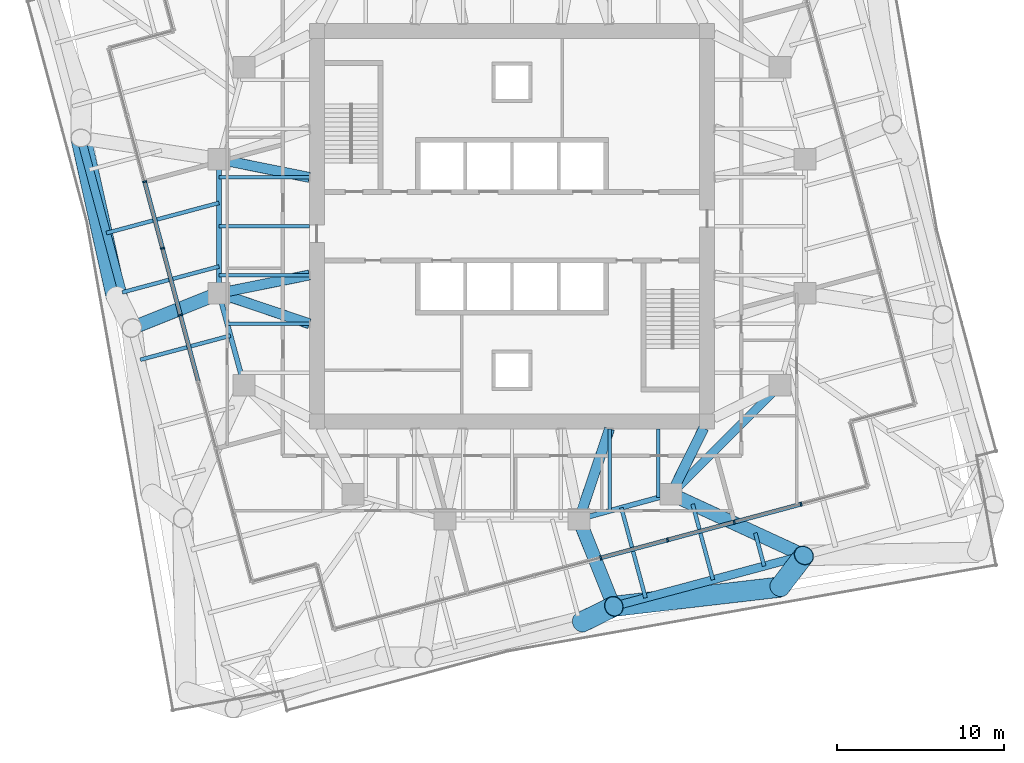
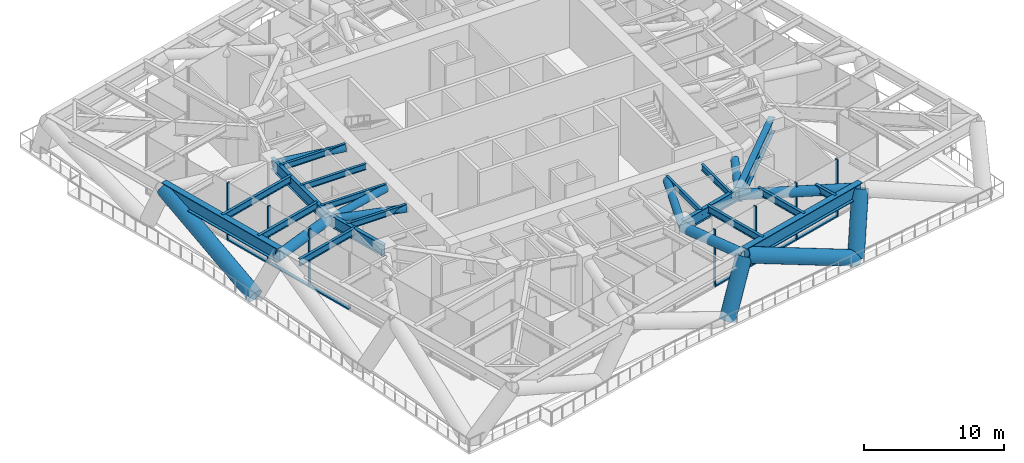
# One storey, part 3 of 14: 25 members, 18 beams, 2 elements without a shape of their own.
"""IFC4 building model written with IfcOpenShell, lengths in metres."""

from ifc_helpers import new_model, si_unit, direction, frame, origin, origin_2d, place, context, subcontext, project, spatial, rectangle, hollow_circle, i_section, extrude, material, material_profile, profile_set, type_object, element, aggregate, save


model = new_model("IFC4")

# Units and contexts
model_context = context("Model", 3, precision=1e-05, world=origin(), true_north=direction((0.0, 1.0)))
body_context = subcontext(model_context, "Body", "Model", "MODEL_VIEW")
ifc_project = project(units=[si_unit("LENGTHUNIT", "METRE"), si_unit("AREAUNIT", "SQUARE_METRE"), si_unit("VOLUMEUNIT", "CUBIC_METRE"), si_unit("PLANEANGLEUNIT", "RADIAN"), si_unit("MASSUNIT", "GRAM", prefix="KILO")], contexts=[model_context])

# Site, building, storey
site_placement = place(None, origin())
site = spatial("IfcSite", under=ifc_project, at=site_placement, CompositionType="ELEMENT")
building_placement = place(site_placement, origin())
building = spatial("IfcBuilding", under=site, at=building_placement, Name="Torsade Residences", CompositionType="ELEMENT")
storey_placement = place(building_placement, frame((0.0, 0.0, 106.60009765625)))
storey = spatial("IfcBuildingStorey", under=building, at=storey_placement, Name="L29", CompositionType="ELEMENT", Elevation=106.60009765625)

# Beams
ifc_material_1 = material(Name="Steel grade 300", Category="steel")
ifc_material_profile_1 = material_profile(ifc_material_1, i_section(OverallWidth=0.208984375, OverallDepth=0.528076171875, WebThickness=0.009521484375, FlangeThickness=0.01318359375, FilletRadius=0.013916015625, at=origin_2d()), Name="530UB82.0")
ifc_profile_set_1 = profile_set([ifc_material_profile_1], Name="Steel grade 300")
beam_type_1 = type_object("IfcBeamType", Name="INNER FLOOR BEAM 530UB82.0", PredefinedType="JOIST", material=ifc_profile_set_1)
beam_1_placement = place(storey_placement, frame((48.737548828125, 17.89990234375, 4.5859375), z_axis=(0.0, -1.0, 0.0), x_axis=(1.0, 0.0, 0.0)))
element("IfcBeam", 1, at=beam_1_placement, inside=storey, type_object=beam_type_1, Name="Inner floor beam IS01 L30", PredefinedType="JOIST", context=body_context, shape_type="SweptSolid", body=[
    extrude(i_section(OverallWidth=0.208984375, OverallDepth=0.528076171875, WebThickness=0.009521484375, FlangeThickness=0.01318359375, FilletRadius=0.013916015625, at=origin_2d()), origin(), (0.0, 0.0, 1.0), 4.10791015625),
])
beam_2_placement = place(storey_placement, frame((45.824951171875, 17.89990234375, 4.5859375), z_axis=(0.0, -1.0, 0.0), x_axis=(1.0, 0.0, 0.0)))
element("IfcBeam", 2, at=beam_2_placement, inside=storey, type_object=beam_type_1, Name="Inner floor beam IS02 L30", PredefinedType="JOIST", context=body_context, shape_type="SweptSolid", body=[
    extrude(i_section(OverallWidth=0.208984375, OverallDepth=0.528076171875, WebThickness=0.009521484375, FlangeThickness=0.01318359375, FilletRadius=0.013916015625, at=origin_2d()), origin(), (0.0, 0.0, 1.0), 4.902099609375),
])
for number, where, z_axis, x_axis, name in (
    (3, (27.89990234375, 32.91259765625, 4.5859375), (-1.0, 0.0, 0.0), (0.0, -1.0, 0.0), "Inner floor beam IW03 L30"),
    (4, (27.89990234375, 30.0, 4.5859375), (-1.0, 0.0, 0.0), (0.0, -1.0, 0.0), "Inner floor beam IW04 L30"),
    (5, (27.89990234375, 27.08740234375, 4.5859375), (-1.0, 0.0, 0.0), (0.0, -1.0, 0.0), "Inner floor beam IW05 L30"),
):
    element("IfcBeam", number, at=place(storey_placement, frame(where, z_axis=z_axis, x_axis=x_axis)), inside=storey, type_object=beam_type_1, Name=name, PredefinedType="JOIST", context=body_context, shape_type="SweptSolid", body=[
        extrude(i_section(OverallWidth=0.208984375, OverallDepth=0.528076171875, WebThickness=0.009521484375, FlangeThickness=0.01318359375, FilletRadius=0.013916015625, at=origin_2d()), origin(), (0.0, 0.0, 1.0), 5.39990234375),
    ])
beam_3_placement = place(storey_placement, frame((27.89990234375, 24.175048828125, 4.5859375), z_axis=(-1.0, 0.0, 0.0), x_axis=(0.0, -1.0, 0.0)))
element("IfcBeam", 6, at=beam_3_placement, inside=storey, type_object=beam_type_1, Name="Inner floor beam IW06 L30", PredefinedType="JOIST", context=body_context, shape_type="SweptSolid", body=[
    extrude(i_section(OverallWidth=0.208984375, OverallDepth=0.528076171875, WebThickness=0.009521484375, FlangeThickness=0.01318359375, FilletRadius=0.013916015625, at=origin_2d()), origin(), (0.0, 0.0, 1.0), 4.902099609375),
])
ifc_material_2 = material(Name="Steel grade 300", Category="steel")
ifc_material_profile_2 = material_profile(ifc_material_2, i_section(OverallWidth=0.5, OverallDepth=1.199951171875, WebThickness=0.01611328125, FlangeThickness=0.0400390625, at=origin_2d()), Name="1200WB455")
ifc_profile_set_2 = profile_set([ifc_material_profile_2], Name="Steel grade 300")
beam_type_2 = type_object("IfcBeamType", Name="RING CORNER GIRDER 1200WB455", PredefinedType="BEAM", material=ifc_profile_set_2)
beam_4_placement = place(storey_placement, frame((49.5, 14.0, 4.25), z_axis=(0.707106781187, 0.707106781187, 0.0), x_axis=(-0.707106781187, 0.707106781187, 0.0)))
element("IfcBeam", 7, at=beam_4_placement, inside=storey, type_object=beam_type_2, Name="Ring girder IR15 L30", PredefinedType="BEAM", context=body_context, shape_type="SweptSolid", body=[
    extrude(i_section(OverallWidth=0.5, OverallDepth=1.199951171875, WebThickness=0.01611328125, FlangeThickness=0.0400390625, at=origin_2d()), origin(), (0.0, 0.0, 1.0), 9.1923828125),
])
ifc_material_3 = material(Name="Steel grade 300", Category="steel")
ifc_material_profile_3 = material_profile(ifc_material_3, i_section(OverallWidth=0.300048828125, OverallDepth=1.0, WebThickness=0.01611328125, FlangeThickness=0.028076171875, at=origin_2d()), Name="1000WB215")
ifc_profile_set_3 = profile_set([ifc_material_profile_3], Name="Steel grade 300")
beam_type_3 = type_object("IfcBeamType", Name="RING GIRDER 1000WB215", PredefinedType="BEAM", material=ifc_profile_set_3)
beam_5_placement = place(storey_placement, frame((22.5, 34.0, 4.349853515625), z_axis=(0.0, -1.0, 0.0), x_axis=(1.0, 0.0, 0.0)))
element("IfcBeam", 8, at=beam_5_placement, inside=storey, type_object=beam_type_3, Name="Ring girder IR09 L30", PredefinedType="BEAM", context=body_context, shape_type="SweptSolid", body=[
    extrude(i_section(OverallWidth=0.300048828125, OverallDepth=1.0, WebThickness=0.01611328125, FlangeThickness=0.028076171875, at=origin_2d()), origin(), (0.0, 0.0, 1.0), 8.0),
])
for number, where, z_axis, x_axis, name in (
    (9, (22.5, 26.0, 4.349853515625), (0.263117405792, -0.964763821238, 0.0), (0.964763821238, 0.263117405792, 0.0), "Ring girder IR10 L30"),
    (10, (44.0, 12.5, 4.349853515625), (0.964763821238, 0.263117405792, 0.0), (-0.263117405792, 0.964763821238, 0.0), "Ring girder IR14 L30"),
):
    element("IfcBeam", number, at=place(storey_placement, frame(where, z_axis=z_axis, x_axis=x_axis)), inside=storey, type_object=beam_type_3, Name=name, PredefinedType="BEAM", context=body_context, shape_type="SweptSolid", body=[
        extrude(i_section(OverallWidth=0.300048828125, OverallDepth=1.0, WebThickness=0.01611328125, FlangeThickness=0.028076171875, at=origin_2d()), origin(), (0.0, 0.0, 1.0), 5.700927734375),
    ])
ifc_material_4 = material(Name="Steel grade 300", Category="steel")
ifc_material_profile_4 = material_profile(ifc_material_4, i_section(OverallWidth=0.22900390625, OverallDepth=0.612060546875, WebThickness=0.011962890625, FlangeThickness=0.01953125, FilletRadius=0.013916015625, at=origin_2d()), Name="610UB125")
ifc_profile_set_4 = profile_set([ifc_material_profile_4], Name="Steel grade 300")
beam_type_4 = type_object("IfcBeamType", Name="SECONDARY BEAM 610UB125", PredefinedType="JOIST", material=ifc_profile_set_4)
beam_6_placement = place(storey_placement, frame((47.973876953125, 7.8076171875, 4.5439453125), z_axis=(-0.258829517553, 0.965923020144, 0.0), x_axis=(-0.965923020144, -0.258829517553, 0.0)))
element("IfcBeam", 11, at=beam_6_placement, inside=storey, type_object=beam_type_4, Name="Floor beam FS07 L30", PredefinedType="JOIST", context=body_context, shape_type="SweptSolid", body=[
    extrude(i_section(OverallWidth=0.22900390625, OverallDepth=0.612060546875, WebThickness=0.011962890625, FlangeThickness=0.01953125, FilletRadius=0.013916015625, at=origin_2d()), origin(), (0.0, 0.0, 1.0), 5.57275390625),
])
beam_7_placement = place(storey_placement, frame((51.99853515625, 8.885986328125, 4.5439453125), z_axis=(-0.258815185258, 0.965926860523, 0.0), x_axis=(-0.965926860523, -0.258815185258, 0.0)))
element("IfcBeam", 12, at=beam_7_placement, inside=storey, type_object=beam_type_4, Name="Floor beam FS08 L30", PredefinedType="JOIST", context=body_context, shape_type="SweptSolid", body=[
    extrude(i_section(OverallWidth=0.22900390625, OverallDepth=0.612060546875, WebThickness=0.011962890625, FlangeThickness=0.01953125, FilletRadius=0.013916015625, at=origin_2d()), origin(), (0.0, 0.0, 1.0), 4.6796875),
])
beam_8_placement = place(storey_placement, frame((55.057373046875, 9.70556640625, 4.5439453125), z_axis=(-0.258791773706, 0.965933133225, 0.0), x_axis=(-0.965933133225, -0.258791773706, 0.0)))
element("IfcBeam", 13, at=beam_8_placement, inside=storey, type_object=beam_type_4, Name="Floor beam FS09 L30", PredefinedType="JOIST", context=body_context, shape_type="SweptSolid", body=[
    extrude(i_section(OverallWidth=0.22900390625, OverallDepth=0.612060546875, WebThickness=0.011962890625, FlangeThickness=0.01953125, FilletRadius=0.013916015625, at=origin_2d()), origin(), (0.0, 0.0, 1.0), 2.045166015625),
])
beam_9_placement = place(storey_placement, frame((15.7802734375, 29.592529296875, 4.5439453125), z_axis=(0.965926120836, 0.258817945835, 0.0), x_axis=(-0.258817945835, 0.965926120836, 0.0)))
element("IfcBeam", 14, at=beam_9_placement, inside=storey, type_object=beam_type_4, Name="Floor beam FW05 L30", PredefinedType="JOIST", context=body_context, shape_type="SweptSolid", body=[
    extrude(i_section(OverallWidth=0.22900390625, OverallDepth=0.612060546875, WebThickness=0.011962890625, FlangeThickness=0.01953125, FilletRadius=0.013916015625, at=origin_2d()), origin(), (0.0, 0.0, 1.0), 6.956787109375),
])
beam_10_placement = place(storey_placement, frame((16.729248046875, 26.05078125, 4.5439453125), z_axis=(0.965920871885, 0.258837534481, 0.0), x_axis=(-0.258837534481, 0.965920871885, 0.0)))
element("IfcBeam", 15, at=beam_10_placement, inside=storey, type_object=beam_type_4, Name="Floor beam FW06 L30", PredefinedType="JOIST", context=body_context, shape_type="SweptSolid", body=[
    extrude(i_section(OverallWidth=0.22900390625, OverallDepth=0.612060546875, WebThickness=0.011962890625, FlangeThickness=0.01953125, FilletRadius=0.013916015625, at=origin_2d()), origin(), (0.0, 0.0, 1.0), 5.974365234375),
])
beam_11_placement = place(storey_placement, frame((17.8076171875, 22.026123046875, 4.5439453125), z_axis=(0.965923020144, 0.258829517553, 0.0), x_axis=(-0.258829517553, 0.965923020144, 0.0)))
element("IfcBeam", 16, at=beam_11_placement, inside=storey, type_object=beam_type_4, Name="Floor beam FW07 L30", PredefinedType="JOIST", context=body_context, shape_type="SweptSolid", body=[
    extrude(i_section(OverallWidth=0.22900390625, OverallDepth=0.612060546875, WebThickness=0.011962890625, FlangeThickness=0.01953125, FilletRadius=0.013916015625, at=origin_2d()), origin(), (0.0, 0.0, 1.0), 5.57275390625),
])

# Members
ifc_material_5 = material(Name="Steel grade 450", Category="steel")
ifc_material_profile_5 = material_profile(ifc_material_5, hollow_circle(Radius=0.304931640625, WallThickness=0.01611328125, at=origin_2d()), Name="610.0x16.0CHS")
ifc_profile_set_5 = profile_set([ifc_material_profile_5], Name="Steel grade 450")
member_type_1 = type_object("IfcMemberType", Name="TRANSFER FLOOR BRACE 610.0x16.0CHS", PredefinedType="BRACE", material=ifc_profile_set_5)
for number, where, z_axis, x_axis, name in (
    (17, (22.5, 34.0, 4.25), (0.97976354245, -0.197299340721, 0.033710102894), (0.197411538983, 0.980320704809, 0.0), "Transfer floor brace TT3 top IR09IW03"),
    (18, (22.5, 26.0, 4.25), (0.97976354245, 0.197299340721, 0.033710102894), (-0.197411538983, 0.980320704809, 0.0), "Transfer floor brace TT3 top IR10IW05"),
):
    element("IfcMember", number, at=place(storey_placement, frame(where, z_axis=z_axis, x_axis=x_axis)), inside=storey, type_object=member_type_1, Name=name, PredefinedType="BRACE", context=body_context, shape_type="SweptSolid", body=[
        extrude(hollow_circle(Radius=0.304931640625, WallThickness=0.01611328125, at=origin_2d()), origin(), (0.0, 0.0, 1.0), 5.511474609375),
    ])
for number, where, z_axis, x_axis, name in (
    (19, (22.5, 26.0, 4.25), (0.946857291164, -0.319999920944, 0.032577918373), (0.320169867513, 0.947360151124, 0.0), "Transfer floor brace TT3 top IR10IW06"),
    (20, (44.0, 12.5, 4.25), (0.319999920944, 0.946857291164, 0.032577918373), (-0.947360151124, 0.320169867513, 0.0), "Transfer floor brace TT3 top IR14IS02"),
):
    element("IfcMember", number, at=place(storey_placement, frame(where, z_axis=z_axis, x_axis=x_axis)), inside=storey, type_object=member_type_1, Name=name, PredefinedType="BRACE", context=body_context, shape_type="SweptSolid", body=[
        extrude(hollow_circle(Radius=0.304931640625, WallThickness=0.01611328125, at=origin_2d()), origin(), (0.0, 0.0, 1.0), 5.702880859375),
    ])
member_1_placement = place(storey_placement, frame((49.5, 14.0, 4.25), z_axis=(0.443105036702, 0.896469701914, 0.0), x_axis=(-0.896469701914, 0.443105036702, 0.0)))
element("IfcMember", 21, at=member_1_placement, inside=storey, type_object=member_type_1, Name="Transfer floor brace TT3 top IR15C", PredefinedType="BRACE", context=body_context, shape_type="SweptSolid", body=[
    extrude(hollow_circle(Radius=0.304931640625, WallThickness=0.01611328125, at=origin_2d()), origin(), (0.0, 0.0, 1.0), 4.40234375),
])
ifc_material_6 = material(Name="Steel grade 450", Category="steel")
ifc_material_profile_6 = material_profile(ifc_material_6, hollow_circle(Radius=0.406494140625, WallThickness=0.02490234375, at=origin_2d()), Name="813.0x25.0CHS")
ifc_profile_set_6 = profile_set([ifc_material_profile_6], Name="Steel grade 450")
member_type_2 = type_object("IfcMemberType", Name="TRANSFER FLOOR STRUT 813.0x25.0CHS", PredefinedType="STRUT", material=ifc_profile_set_6)
member_2_placement = place(storey_placement, frame((46.082275390625, 7.30078125, 4.25), z_axis=(-0.371788975159, 0.928317272246, 0.0), x_axis=(-0.928317272246, -0.371788975159, 0.0)))
element("IfcMember", 22, at=member_2_placement, inside=storey, type_object=member_type_2, Name="Transfer floor strut TT3 top 03IR14", PredefinedType="STRUT", context=body_context, shape_type="SweptSolid", body=[
    extrude(hollow_circle(Radius=0.406494140625, WallThickness=0.02490234375, at=origin_2d()), origin(), (0.0, 0.0, 1.0), 5.6005859375),
])
member_3_placement = place(storey_placement, frame((57.431884765625, 10.341796875, 4.25), z_axis=(-0.908075513562, 0.418806472813, 0.0), x_axis=(-0.418806472813, -0.908075513562, 0.0)))
element("IfcMember", 23, at=member_3_placement, inside=storey, type_object=member_type_2, Name="Transfer floor strut TT3 top 04IR15", PredefinedType="STRUT", context=body_context, shape_type="SweptSolid", body=[
    extrude(hollow_circle(Radius=0.406494140625, WallThickness=0.02490234375, at=origin_2d()), origin(), (0.0, 0.0, 1.0), 8.73486328125),
])
member_4_placement = place(storey_placement, frame((17.30078125, 23.917724609375, 4.25), z_axis=(0.928317272246, 0.371788975159, 0.0), x_axis=(-0.371788975159, 0.928317272246, 0.0)))
element("IfcMember", 24, at=member_4_placement, inside=storey, type_object=member_type_2, Name="Transfer floor strut TT3 top 15IR10", PredefinedType="STRUT", context=body_context, shape_type="SweptSolid", body=[
    extrude(hollow_circle(Radius=0.406494140625, WallThickness=0.02490234375, at=origin_2d()), origin(), (0.0, 0.0, 1.0), 5.6005859375),
])

# Curtain wall, members
ifc_material_7 = material(Name="Aluminium and glass", Category="aluminium")
curtain_wall_type = type_object("IfcCurtainWallType", Name="TRANSFER LEVEL CURTAIN WALL LOW ZONE", PredefinedType="NOTDEFINED", material=ifc_material_7)
curtain_wall_1_placement = place(storey_placement, origin())
curtain_wall_1 = element("IfcCurtainWall", 25, at=curtain_wall_1_placement, inside=storey, type_object=curtain_wall_type, Name="Curtain wall L29 face 1", PredefinedType="NOTDEFINED")
ifc_material_8 = material(Name="Aluminium mullion", Category="aluminium")
ifc_material_profile_7 = material_profile(ifc_material_8, rectangle(XDim=0.25, YDim=0.10009765625, at=origin_2d()), Name="TRANSFER LEVEL CURTAIN WALL MULLION 250x100")
ifc_profile_set_7 = profile_set([ifc_material_profile_7], Name="Aluminium mullion")
member_type_3 = type_object("IfcMemberType", Name="TRANSFER LEVEL CURTAIN WALL MULLION 250x100", PredefinedType="MULLION", material=ifc_profile_set_7)
member_5_placement = place(storey_placement, frame((45.305908203125, 10.198486328125, 0.0), z_axis=(0.0, 0.0, 1.0), x_axis=(-0.258819054021, 0.965925823899, 0.0)))
member_5 = element("IfcMember", 26, at=member_5_placement, type_object=member_type_3, Name="Mullion 5", PredefinedType="MULLION", context=body_context, shape_type="SweptSolid", body=[
    extrude(rectangle(XDim=0.25, YDim=0.10009765625, at=origin_2d()), origin(), (0.0, 0.0, 1.0), 5.0),
])
member_6_placement = place(storey_placement, frame((49.290283203125, 11.26611328125, 0.0), z_axis=(0.0, 0.0, 1.0), x_axis=(-0.258819054021, 0.965925823899, 0.0)))
member_6 = element("IfcMember", 27, at=member_6_placement, type_object=member_type_3, Name="Mullion 6", PredefinedType="MULLION", context=body_context, shape_type="SweptSolid", body=[
    extrude(rectangle(XDim=0.25, YDim=0.10009765625, at=origin_2d()), origin(), (0.0, 0.0, 1.0), 5.0),
])
member_7_placement = place(storey_placement, frame((53.274658203125, 12.333740234375, 0.0), z_axis=(0.0, 0.0, 1.0), x_axis=(-0.258819054021, 0.965925823899, 0.0)))
member_7 = element("IfcMember", 28, at=member_7_placement, type_object=member_type_3, Name="Mullion 7", PredefinedType="MULLION", context=body_context, shape_type="SweptSolid", body=[
    extrude(rectangle(XDim=0.25, YDim=0.10009765625, at=origin_2d()), origin(), (0.0, 0.0, 1.0), 5.0),
])
member_8_placement = place(storey_placement, frame((57.259033203125, 13.4013671875, 0.0), z_axis=(0.0, 0.0, 1.0), x_axis=(-0.258819054021, 0.965925823899, 0.0)))
member_8 = element("IfcMember", 29, at=member_8_placement, type_object=member_type_3, Name="Mullion 8", PredefinedType="MULLION", context=body_context, shape_type="SweptSolid", body=[
    extrude(rectangle(XDim=0.25, YDim=0.10009765625, at=origin_2d()), origin(), (0.0, 0.0, 1.0), 5.0),
])

curtain_wall_2_placement = place(storey_placement, origin())
curtain_wall_2 = element("IfcCurtainWall", 30, at=curtain_wall_2_placement, inside=storey, type_object=curtain_wall_type, Name="Curtain wall L29 face 10", PredefinedType="NOTDEFINED")
member_9_placement = place(storey_placement, frame((18.063232421875, 32.6630859375, 0.0), z_axis=(0.0, 0.0, 1.0), x_axis=(0.965925823899, 0.258819054021, 0.0)))
member_9 = element("IfcMember", 31, at=member_9_placement, type_object=member_type_3, Name="Mullion 3", PredefinedType="MULLION", context=body_context, shape_type="SweptSolid", body=[
    extrude(rectangle(XDim=0.25, YDim=0.10009765625, at=origin_2d()), origin(), (0.0, 0.0, 1.0), 5.0),
])
member_10_placement = place(storey_placement, frame((19.130859375, 28.6787109375, 0.0), z_axis=(0.0, 0.0, 1.0), x_axis=(0.965925823899, 0.258819054021, 0.0)))
member_10 = element("IfcMember", 32, at=member_10_placement, type_object=member_type_3, Name="Mullion 4", PredefinedType="MULLION", context=body_context, shape_type="SweptSolid", body=[
    extrude(rectangle(XDim=0.25, YDim=0.10009765625, at=origin_2d()), origin(), (0.0, 0.0, 1.0), 5.0),
])
member_11_placement = place(storey_placement, frame((20.198486328125, 24.694091796875, 0.0), z_axis=(0.0, 0.0, 1.0), x_axis=(0.965925823899, 0.258819054021, 0.0)))
member_11 = element("IfcMember", 33, at=member_11_placement, type_object=member_type_3, Name="Mullion 5", PredefinedType="MULLION", context=body_context, shape_type="SweptSolid", body=[
    extrude(rectangle(XDim=0.25, YDim=0.10009765625, at=origin_2d()), origin(), (0.0, 0.0, 1.0), 5.0),
])

# Member
ifc_material_9 = material(Name="Aluminium transom", Category="aluminium")
ifc_material_profile_8 = material_profile(ifc_material_9, rectangle(XDim=0.25, YDim=0.1201171875, at=origin_2d()), Name="TRANSFER LEVEL CURTAIN WALL TRANSOM 250x120")
ifc_profile_set_8 = profile_set([ifc_material_profile_8], Name="Aluminium transom")
member_type_4 = type_object("IfcMemberType", Name="TRANSFER LEVEL CURTAIN WALL TRANSOM 250x120", PredefinedType="USERDEFINED", material=ifc_profile_set_8)
member_12_placement = place(storey_placement, frame((45.35400390625, 10.21142578125, 0.059814453125), z_axis=(0.965927204495, 0.258813901512, 0.0), x_axis=(-0.258813901512, 0.965927204495, 0.0)))
member_12 = element("IfcMember", 34, at=member_12_placement, type_object=member_type_4, Name="Transom 5.1", ObjectType="TRANSOM", PredefinedType="USERDEFINED", context=body_context, shape_type="SweptSolid", body=[
    extrude(rectangle(XDim=0.25, YDim=0.1201171875, at=origin_2d()), origin(), (0.0, 0.0, 1.0), 4.025146484375),
])

member_13_placement = place(storey_placement, frame((49.338623046875, 11.279052734375, 0.059814453125), z_axis=(0.965923141201, 0.258829065781, 0.0), x_axis=(-0.258829065781, 0.965923141201, 0.0)))
member_13 = element("IfcMember", 35, at=member_13_placement, type_object=member_type_4, Name="Transom 6.1", ObjectType="TRANSOM", PredefinedType="USERDEFINED", context=body_context, shape_type="SweptSolid", body=[
    extrude(rectangle(XDim=0.25, YDim=0.1201171875, at=origin_2d()), origin(), (0.0, 0.0, 1.0), 4.02490234375),
])

member_14_placement = place(storey_placement, frame((53.322998046875, 12.3466796875, 0.059814453125), z_axis=(0.965927204495, 0.258813901512, 0.0), x_axis=(-0.258813901512, 0.965927204495, 0.0)))
member_14 = element("IfcMember", 36, at=member_14_placement, type_object=member_type_4, Name="Transom 7.1", ObjectType="TRANSOM", PredefinedType="USERDEFINED", context=body_context, shape_type="SweptSolid", body=[
    extrude(rectangle(XDim=0.25, YDim=0.1201171875, at=origin_2d()), origin(), (0.0, 0.0, 1.0), 4.025146484375),
])

aggregate(curtain_wall_1, [member_5, member_6, member_7, member_8, member_12, member_13, member_14])

member_15_placement = place(storey_placement, frame((18.076171875, 32.61474609375, 0.059814453125), z_axis=(0.258829065781, -0.965923141201, 0.0), x_axis=(0.965923141201, 0.258829065781, 0.0)))
member_15 = element("IfcMember", 37, at=member_15_placement, type_object=member_type_4, Name="Transom 3.1", ObjectType="TRANSOM", PredefinedType="USERDEFINED", context=body_context, shape_type="SweptSolid", body=[
    extrude(rectangle(XDim=0.25, YDim=0.1201171875, at=origin_2d()), origin(), (0.0, 0.0, 1.0), 4.02490234375),
])

member_16_placement = place(storey_placement, frame((19.143798828125, 28.63037109375, 0.059814453125), z_axis=(0.258813901512, -0.965927204495, 0.0), x_axis=(0.965927204495, 0.258813901512, 0.0)))
member_16 = element("IfcMember", 38, at=member_16_placement, type_object=member_type_4, Name="Transom 4.1", ObjectType="TRANSOM", PredefinedType="USERDEFINED", context=body_context, shape_type="SweptSolid", body=[
    extrude(rectangle(XDim=0.25, YDim=0.1201171875, at=origin_2d()), origin(), (0.0, 0.0, 1.0), 4.025146484375),
])

member_17_placement = place(storey_placement, frame((20.21142578125, 24.64599609375, 0.059814453125), z_axis=(0.258813901512, -0.965927204495, 0.0), x_axis=(0.965927204495, 0.258813901512, 0.0)))
member_17 = element("IfcMember", 39, at=member_17_placement, type_object=member_type_4, Name="Transom 5.1", ObjectType="TRANSOM", PredefinedType="USERDEFINED", context=body_context, shape_type="SweptSolid", body=[
    extrude(rectangle(XDim=0.25, YDim=0.1201171875, at=origin_2d()), origin(), (0.0, 0.0, 1.0), 4.025146484375),
])

aggregate(curtain_wall_2, [member_9, member_10, member_11, member_15, member_16, member_17])

# Beams
ifc_material_10 = material(Name="Steel grade 350", Category="steel")
ifc_material_profile_9 = material_profile(ifc_material_10, i_section(OverallWidth=0.5, OverallDepth=1.199951171875, WebThickness=0.031982421875, FlangeThickness=0.050048828125, at=origin_2d()), Name="1200x500x50x32WPG")
ifc_profile_set_9 = profile_set([ifc_material_profile_9], Name="Steel grade 350")
beam_type_5 = type_object("IfcBeamType", Name="TRANSFER TRUSS CHORD 1200x500x50x32WPG", PredefinedType="USERDEFINED", material=ifc_profile_set_9)
for number, where, z_axis, x_axis, name in (
    (40, (46.082275390625, 7.30078125, 4.25), (0.965928018634, 0.258810863021, 0.0), (-0.258810863021, 0.965928018634, 0.0), "Transfer truss TT3 top chord 03"),
    (41, (14.259521484375, 35.267333984375, 4.25), (0.258830249097, -0.965922824118, 0.0), (0.965922824118, 0.258830249097, 0.0), "Transfer truss TT3 top chord 14"),
):
    element("IfcBeam", number, at=place(storey_placement, frame(where, z_axis=z_axis, x_axis=x_axis)), inside=storey, type_object=beam_type_5, Name=name, ObjectType="TRANSFER TRUSS CHORD", PredefinedType="USERDEFINED", context=body_context, shape_type="SweptSolid", body=[
        extrude(i_section(OverallWidth=0.5, OverallDepth=1.199951171875, WebThickness=0.031982421875, FlangeThickness=0.050048828125, at=origin_2d()), origin(), (0.0, 0.0, 1.0), 11.75),
    ])

# Members
ifc_material_11 = material(Name="Steel grade 450", Category="steel")
ifc_material_profile_10 = material_profile(ifc_material_11, hollow_circle(Radius=0.609619140625, WallThickness=0.0400390625, at=origin_2d()), Name="1219.0x40.0CHS")
ifc_profile_set_10 = profile_set([ifc_material_profile_10], Name="Steel grade 450")
member_type_5 = type_object("IfcMemberType", Name="TRANSFER TRUSS DIAGONAL 1219.0x40.0CHS", PredefinedType="BRACE", material=ifc_profile_set_10)
member_18_placement = place(storey_placement, frame((55.9853515625, 8.448486328125, -0.2001953125), z_axis=(-0.907080578438, -0.105125010459, 0.407619376865), x_axis=(0.115123242076, -0.993351216405, 0.0)))
element("IfcMember", 42, at=member_18_placement, inside=storey, type_object=member_type_5, Name="Transfer truss TT3 diagonal 03", PredefinedType="BRACE", context=body_context, shape_type="SweptSolid", body=[
    extrude(hollow_circle(Radius=0.609619140625, WallThickness=0.0400390625, at=origin_2d()), origin(), (0.0, 0.0, 1.0), 10.91748046875),
])
member_19_placement = place(storey_placement, frame((16.364501953125, 25.83251953125, -0.2001953125), z_axis=(-0.197800429475, 0.886568962777, 0.418175159879), x_axis=(-0.976003683716, -0.217754011153, 0.0)))
element("IfcMember", 43, at=member_19_placement, inside=storey, type_object=member_type_5, Name="Transfer truss TT3 diagonal 14", PredefinedType="BRACE", context=body_context, shape_type="SweptSolid", body=[
    extrude(hollow_circle(Radius=0.609619140625, WallThickness=0.0400390625, at=origin_2d()), origin(), (0.0, 0.0, 1.0), 10.641845703125),
])
ifc_material_12 = material(Name="Steel grade 450", Category="steel")
ifc_material_profile_11 = material_profile(ifc_material_12, hollow_circle(Radius=0.609619140625, WallThickness=0.031982421875, at=origin_2d()), Name="1219.0x32.0CHS")
ifc_profile_set_11 = profile_set([ifc_material_profile_11], Name="Steel grade 450")
member_type_6 = type_object("IfcMemberType", Name="TRANSFER TRUSS RAKING STRUT 1219.0x32.0CHS", PredefinedType="STRUT", material=ifc_profile_set_11)
member_20_placement = place(storey_placement, frame((44.16748046875, 6.364501953125, -0.2001953125), z_axis=(0.388058224023, 0.189749239976, 0.901890259786), x_axis=(-0.439269707642, 0.898355232604, 0.0)))
element("IfcMember", 44, at=member_20_placement, inside=storey, type_object=member_type_6, Name="Transfer truss TT3 raking strut 03", PredefinedType="STRUT", context=body_context, shape_type="SweptSolid", body=[
    extrude(hollow_circle(Radius=0.609619140625, WallThickness=0.031982421875, at=origin_2d()), origin(), (0.0, 0.0, 1.0), 4.934326171875),
])
member_21_placement = place(storey_placement, frame((55.9853515625, 8.448486328125, -0.2001953125), z_axis=(0.286561230512, 0.375068749809, 0.881592929919), x_axis=(-0.794619515929, 0.607107753949, 0.0)))
element("IfcMember", 45, at=member_21_placement, inside=storey, type_object=member_type_6, Name="Transfer truss TT3 raking strut 04", PredefinedType="STRUT", context=body_context, shape_type="SweptSolid", body=[
    extrude(hollow_circle(Radius=0.609619140625, WallThickness=0.031982421875, at=origin_2d()), origin(), (0.0, 0.0, 1.0), 5.0478515625),
])

save(model, "model.ifc")
